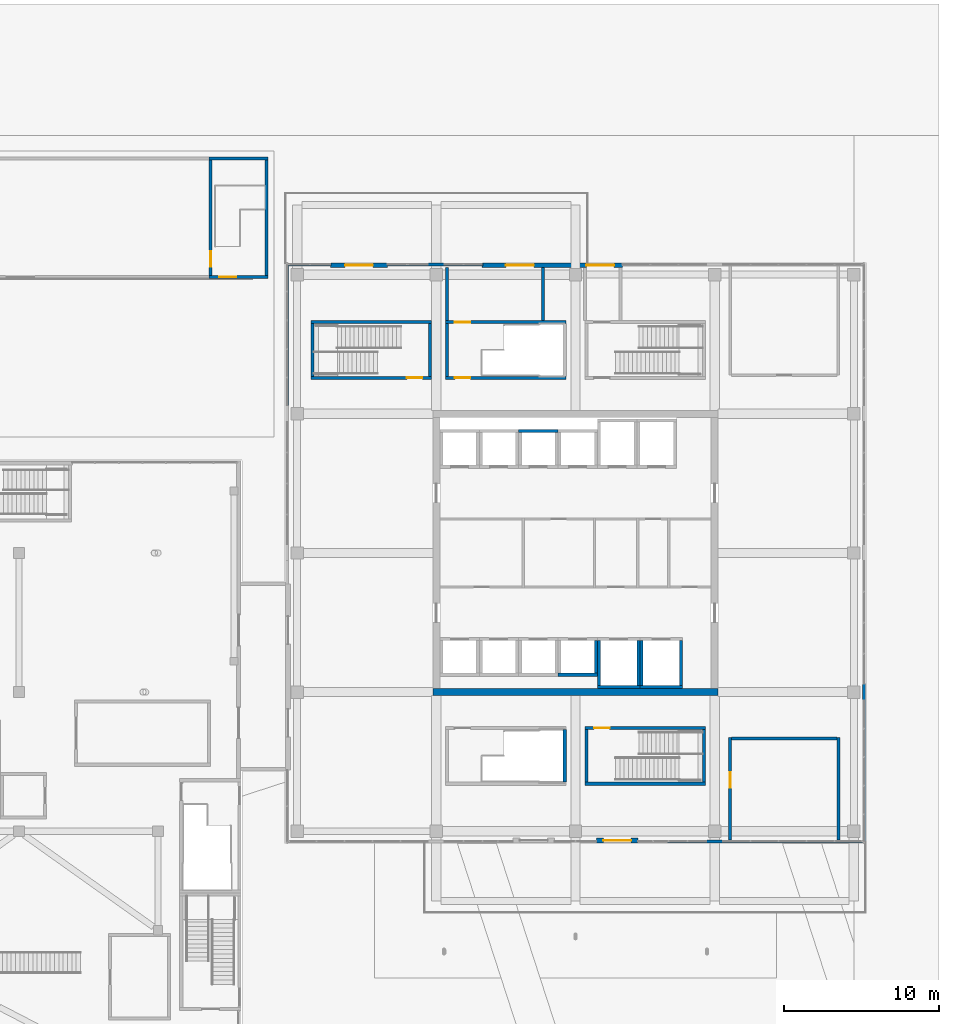
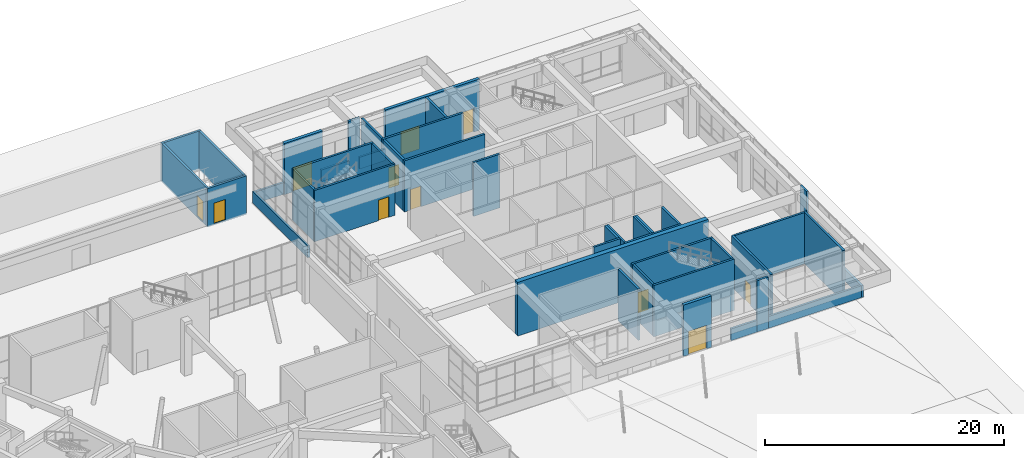
# One storey, part 57 of 72: 44 walls, 11 doors, 11 openings.
"""IFC4 building model written with IfcOpenShell, lengths in metres."""

from ifc_helpers import new_model, si_unit, direction, frame, frame_2d, origin, place, context, subcontext, project, spatial, rectangle, extrude, material, layer, layer_set, type_object, element, fill, save


model = new_model("IFC4")

# Units and contexts
model_context = context("Model", 3, precision=1e-05, world=origin(), true_north=direction((0.0, 1.0)))
body_context = subcontext(model_context, "Body", "Model", "MODEL_VIEW")
ifc_project = project(units=[si_unit("LENGTHUNIT", "METRE"), si_unit("AREAUNIT", "SQUARE_METRE"), si_unit("VOLUMEUNIT", "CUBIC_METRE"), si_unit("PLANEANGLEUNIT", "RADIAN"), si_unit("MASSUNIT", "GRAM", prefix="KILO")], contexts=[model_context])

# Site, building, storey
site_placement = place(None, origin())
site = spatial("IfcSite", under=ifc_project, at=site_placement, CompositionType="ELEMENT")
building_placement = place(site_placement, origin())
building = spatial("IfcBuilding", under=site, at=building_placement, Name="Tuart Plaza Theatre", CompositionType="ELEMENT")
storey_placement = place(building_placement, origin())
storey = spatial("IfcBuildingStorey", under=building, at=storey_placement, Name="L00", CompositionType="ELEMENT", Elevation=0.0)

# Wall, opening, door
ifc_material_1 = material(Name="Concrete N40 (40 MPa)", Category="concrete")
ifc_layer_1 = layer(ifc_material_1, 0.199951171875)
ifc_layer_set_1 = layer_set([ifc_layer_1], Name="PARTITION RC200 FRL 120/120/120")
wall_type_1 = type_object("IfcWallType", Name="PARTITION RC200 FRL 120/120/120", PredefinedType="PARTITIONING", material=ifc_layer_set_1)
wall_1_placement = place(storey_placement, frame((142.0, 55.449951171875, 0.0), z_axis=(0.0, 0.0, 1.0), x_axis=(0.0, 1.0, 0.0)))
wall_1 = element("IfcWall", 1, at=wall_1_placement, inside=storey, type_object=wall_type_1, Name="P576", PredefinedType="PARTITIONING", context=body_context, shape_type="SweptSolid", body=[
    extrude(rectangle(XDim=6.625, YDim=0.199951171875, at=frame_2d((3.3125, 0.0))), origin(), (0.0, 0.0, 1.0), 5.25),
])
opening_1_placement = place(wall_1_placement, frame((3.375, 0.0, 0.0)))
opening_1 = element("IfcOpeningElement", 2, at=opening_1_placement, cuts=wall_1, Name="Opening L00-092", PredefinedType="OPENING", context=body_context, shape_type="SweptSolid", body=[
    extrude(rectangle(XDim=1.0, YDim=2.10009765625, at=frame_2d((0.5, 1.050048828125))), frame((0.0, 0.10986328125, 0.0), z_axis=(0.0, -1.0, 0.0), x_axis=(1.0, 0.0, 0.0)), (0.0, 0.0, 1.0), 0.219970703125),
])
ifc_material_2 = material(Name="Steel Grade 300", Category="steel")
door_type_1 = type_object("IfcDoorType", Name="DOOR 1000x2100 steel single swing FRL -/120/30", OperationType="SINGLE_SWING_LEFT", PredefinedType="DOOR", material=ifc_material_2)
door_1_placement = place(opening_1_placement, frame((1.0, 0.0, 0.0), z_axis=(0.0, 0.0, 1.0), x_axis=(-1.0, 0.0, 0.0)))
door_1 = element("IfcDoor", 3, at=door_1_placement, inside=storey, type_object=door_type_1, Name="L00-092", OperationType="SINGLE_SWING_RIGHT", OverallHeight=2.10009765625, OverallWidth=1.0, PredefinedType="DOOR", context=body_context, shape_type="SweptSolid", body=[
    extrude(rectangle(XDim=1.0, YDim=2.10009765625, at=frame_2d((0.5, 1.050048828125))), frame((0.0, 0.02490234375, 0.0), z_axis=(0.0, -1.0, 0.0), x_axis=(1.0, 0.0, 0.0)), (0.0, 0.0, 1.0), 0.050048828125),
])
fill(opening_1, door_1)

# Walls
wall_2_placement = place(storey_placement, frame((142.10009765625, 62.0, 0.0), z_axis=(0.0, 0.0, 1.0), x_axis=(1.0, 0.0, 0.0)))
element("IfcWall", 4, at=wall_2_placement, inside=storey, type_object=wall_type_1, Name="P577", PredefinedType="PARTITIONING", context=body_context, shape_type="SweptSolid", body=[
    extrude(rectangle(XDim=6.7998046875, YDim=0.199951171875, at=frame_2d((3.39990234375, 0.0))), origin(), (0.0, 0.0, 1.0), 5.25),
])
wall_3_placement = place(storey_placement, frame((149.0, 55.449951171875, 0.0), z_axis=(0.0, 0.0, 1.0), x_axis=(0.0, 1.0, 0.0)))
element("IfcWall", 5, at=wall_3_placement, inside=storey, type_object=wall_type_1, Name="P578", PredefinedType="PARTITIONING", context=body_context, shape_type="SweptSolid", body=[
    extrude(rectangle(XDim=6.625, YDim=0.199951171875, at=frame_2d((3.3125, 0.0))), origin(), (0.0, 0.0, 1.0), 5.25),
])
ifc_material_3 = material(Name="Concrete N40 (40 MPa)", Category="concrete")
ifc_layer_2 = layer(ifc_material_3, 0.199951171875)
ifc_layer_set_2 = layer_set([ifc_layer_2], Name="SHEAR WALL RC200 FRL 120/120/120")
wall_type_2 = type_object("IfcWallType", Name="SHEAR WALL RC200 FRL 120/120/120", PredefinedType="SHEAR", material=ifc_layer_set_2)
wall_4_placement = place(storey_placement, frame((130.875, 66.125, 0.0), z_axis=(0.0, 0.0, 1.0), x_axis=(1.0, 0.0, 0.0)))
element("IfcWall", 6, at=wall_4_placement, inside=storey, type_object=wall_type_2, Name="W682", PredefinedType="SHEAR", context=body_context, shape_type="SweptSolid", body=[
    extrude(rectangle(XDim=2.550048828125, YDim=0.199951171875, at=frame_2d((1.27490234375, 0.0))), origin(), (0.0, 0.0, 1.0), 5.5),
])
wall_5_placement = place(storey_placement, frame((133.324951171875, 66.22509765625, 0.0), z_axis=(0.0, 0.0, 1.0), x_axis=(0.0, 1.0, 0.0)))
element("IfcWall", 7, at=wall_5_placement, inside=storey, type_object=wall_type_2, Name="W683", PredefinedType="SHEAR", context=body_context, shape_type="SweptSolid", body=[
    extrude(rectangle(XDim=2.099853515625, YDim=0.199951171875, at=frame_2d((1.0498046875, 0.0))), origin(), (0.0, 0.0, 1.0), 5.5),
])
wall_6_placement = place(storey_placement, frame((130.875, 81.875, 0.0), z_axis=(0.0, 0.0, 1.0), x_axis=(-1.0, 0.0, 0.0)))
element("IfcWall", 8, at=wall_6_placement, inside=storey, type_object=wall_type_2, Name="W872", PredefinedType="SHEAR", context=body_context, shape_type="SweptSolid", body=[
    extrude(rectangle(XDim=2.550048828125, YDim=0.199951171875, at=frame_2d((1.27490234375, 0.0))), origin(), (0.0, 0.0, 1.0), 5.5),
])
wall_7_placement = place(storey_placement, frame((133.425048828125, 65.324951171875, 0.0), z_axis=(0.0, 0.0, 1.0), x_axis=(1.0, 0.0, 0.0)))
element("IfcWall", 9, at=wall_7_placement, inside=storey, type_object=wall_type_2, Name="W1014", PredefinedType="SHEAR", context=body_context, shape_type="SweptSolid", body=[
    extrude(rectangle(XDim=2.75, YDim=0.199951171875, at=frame_2d((1.375, 0.0))), origin(), (0.0, 0.0, 1.0), 5.5),
])
for number, where, z_axis, x_axis, name in (
    (10, (136.074951171875, 65.425048828125, 0.0), (0.0, 0.0, 1.0), (0.0, 1.0, 0.0), "W1015"),
    (11, (133.52490234375, 68.324951171875, 0.0), (0.0, 0.0, 1.0), (0.0, -1.0, 0.0), "W1017"),
):
    element("IfcWall", number, at=place(storey_placement, frame(where, z_axis=z_axis, x_axis=x_axis)), inside=storey, type_object=wall_type_2, Name=name, PredefinedType="SHEAR", context=body_context, shape_type="SweptSolid", body=[
        extrude(rectangle(XDim=2.89990234375, YDim=0.199951171875, at=frame_2d((1.449951171875, 0.0))), origin(), (0.0, 0.0, 1.0), 5.5),
    ])
wall_8_placement = place(storey_placement, frame((136.175048828125, 65.324951171875, 0.0), z_axis=(0.0, 0.0, 1.0), x_axis=(1.0, 0.0, 0.0)))
element("IfcWall", 12, at=wall_8_placement, inside=storey, type_object=wall_type_2, Name="W1090", PredefinedType="SHEAR", context=body_context, shape_type="SweptSolid", body=[
    extrude(rectangle(XDim=2.75, YDim=0.199951171875, at=frame_2d((1.375, 0.0))), origin(), (0.0, 0.0, 1.0), 5.5),
])
for number, where, z_axis, x_axis, name in (
    (13, (138.824951171875, 65.425048828125, 0.0), (0.0, 0.0, 1.0), (0.0, 1.0, 0.0), "W1091"),
    (14, (136.27490234375, 68.324951171875, 0.0), (0.0, 0.0, 1.0), (0.0, -1.0, 0.0), "W1093"),
):
    element("IfcWall", number, at=place(storey_placement, frame(where, z_axis=z_axis, x_axis=x_axis)), inside=storey, type_object=wall_type_2, Name=name, PredefinedType="SHEAR", context=body_context, shape_type="SweptSolid", body=[
        extrude(rectangle(XDim=2.89990234375, YDim=0.199951171875, at=frame_2d((1.449951171875, 0.0))), origin(), (0.0, 0.0, 1.0), 5.5),
    ])
wall_9_placement = place(storey_placement, frame((132.60009765625, 59.074951171875, 0.0), z_axis=(0.0, 0.0, 1.0), x_axis=(1.0, 0.0, 0.0)))
element("IfcWall", 15, at=wall_9_placement, inside=storey, type_object=wall_type_2, Name="P392", PredefinedType="SHEAR", context=body_context, shape_type="SweptSolid", body=[
    extrude(rectangle(XDim=7.7998046875, YDim=0.199951171875, at=frame_2d((3.89990234375, 0.0))), origin(), (0.0, 0.0, 1.0), 5.25),
])
wall_10_placement = place(storey_placement, frame((140.300048828125, 59.175048828125, 0.0), z_axis=(0.0, 0.0, 1.0), x_axis=(0.0, 1.0, 0.0)))
element("IfcWall", 16, at=wall_10_placement, inside=storey, type_object=wall_type_2, Name="P393", PredefinedType="SHEAR", context=body_context, shape_type="SweptSolid", body=[
    extrude(rectangle(XDim=3.39990234375, YDim=0.199951171875, at=frame_2d((1.699951171875, 0.0))), origin(), (0.0, 0.0, 1.0), 5.25),
])

# Wall, opening, door
wall_11_placement = place(storey_placement, frame((140.39990234375, 62.675048828125, 0.0), z_axis=(0.0, 0.0, 1.0), x_axis=(-1.0, 0.0, 0.0)))
wall_11 = element("IfcWall", 17, at=wall_11_placement, inside=storey, type_object=wall_type_2, Name="P394", PredefinedType="SHEAR", context=body_context, shape_type="SweptSolid", body=[
    extrude(rectangle(XDim=7.7998046875, YDim=0.199951171875, at=frame_2d((3.89990234375, 0.0))), origin(), (0.0, 0.0, 1.0), 5.25),
])
opening_2_placement = place(wall_11_placement, frame((6.199951171875, 0.0, 0.0)))
opening_2 = element("IfcOpeningElement", 18, at=opening_2_placement, cuts=wall_11, Name="Opening L00-078", PredefinedType="OPENING", context=body_context, shape_type="SweptSolid", body=[
    extrude(rectangle(XDim=1.0, YDim=2.10009765625, at=frame_2d((0.5, 1.050048828125))), frame((0.0, 0.10986328125, 0.0), z_axis=(0.0, -1.0, 0.0), x_axis=(1.0, 0.0, 0.0)), (0.0, 0.0, 1.0), 0.219970703125),
])
door_2_placement = place(opening_2_placement, origin())
door_2 = element("IfcDoor", 19, at=door_2_placement, inside=storey, type_object=door_type_1, Name="L00-078", OperationType="SINGLE_SWING_LEFT", OverallHeight=2.10009765625, OverallWidth=1.0, PredefinedType="DOOR", context=body_context, shape_type="SweptSolid", body=[
    extrude(rectangle(XDim=1.0, YDim=2.10009765625, at=frame_2d((0.5, 1.050048828125))), frame((0.0, 0.02490234375, 0.0), z_axis=(0.0, -1.0, 0.0), x_axis=(1.0, 0.0, 0.0)), (0.0, 0.0, 1.0), 0.050048828125),
])
fill(opening_2, door_2)

# Wall
wall_12_placement = place(storey_placement, frame((132.699951171875, 62.574951171875, 0.0), z_axis=(0.0, 0.0, 1.0), x_axis=(0.0, -1.0, 0.0)))
element("IfcWall", 20, at=wall_12_placement, inside=storey, type_object=wall_type_2, Name="P395", PredefinedType="SHEAR", context=body_context, shape_type="SweptSolid", body=[
    extrude(rectangle(XDim=3.39990234375, YDim=0.199951171875, at=frame_2d((1.699951171875, 0.0))), origin(), (0.0, 0.0, 1.0), 5.25),
])

# Wall, opening, door
wall_13_placement = place(storey_placement, frame((114.89990234375, 85.324951171875, 0.0), z_axis=(0.0, 0.0, 1.0), x_axis=(1.0, 0.0, 0.0)))
wall_13 = element("IfcWall", 21, at=wall_13_placement, inside=storey, type_object=wall_type_2, Name="P448", PredefinedType="SHEAR", context=body_context, shape_type="SweptSolid", body=[
    extrude(rectangle(XDim=7.800048828125, YDim=0.199951171875, at=frame_2d((3.89990234375, 0.0))), origin(), (0.0, 0.0, 1.0), 5.25),
])
opening_3_placement = place(wall_13_placement, frame((6.199951171875, 0.0, 0.0)))
opening_3 = element("IfcOpeningElement", 22, at=opening_3_placement, cuts=wall_13, Name="Opening L00-080", PredefinedType="OPENING", context=body_context, shape_type="SweptSolid", body=[
    extrude(rectangle(XDim=1.0, YDim=2.10009765625, at=frame_2d((0.5, 1.050048828125))), frame((0.0, 0.10986328125, 0.0), z_axis=(0.0, -1.0, 0.0), x_axis=(1.0, 0.0, 0.0)), (0.0, 0.0, 1.0), 0.219970703125),
])
door_3_placement = place(opening_3_placement, origin())
door_3 = element("IfcDoor", 23, at=door_3_placement, inside=storey, type_object=door_type_1, Name="L00-080", OperationType="SINGLE_SWING_LEFT", OverallHeight=2.10009765625, OverallWidth=1.0, PredefinedType="DOOR", context=body_context, shape_type="SweptSolid", body=[
    extrude(rectangle(XDim=1.0, YDim=2.10009765625, at=frame_2d((0.5, 1.050048828125))), frame((0.0, 0.02490234375, 0.0), z_axis=(0.0, -1.0, 0.0), x_axis=(1.0, 0.0, 0.0)), (0.0, 0.0, 1.0), 0.050048828125),
])
fill(opening_3, door_3)

# Walls
wall_14_placement = place(storey_placement, frame((122.60009765625, 85.425048828125, 0.0), z_axis=(0.0, 0.0, 1.0), x_axis=(0.0, 1.0, 0.0)))
element("IfcWall", 24, at=wall_14_placement, inside=storey, type_object=wall_type_2, Name="P449", PredefinedType="SHEAR", context=body_context, shape_type="SweptSolid", body=[
    extrude(rectangle(XDim=3.39990234375, YDim=0.199951171875, at=frame_2d((1.699951171875, 0.0))), origin(), (0.0, 0.0, 1.0), 5.25),
])
wall_15_placement = place(storey_placement, frame((122.699951171875, 88.925048828125, 0.0), z_axis=(0.0, 0.0, 1.0), x_axis=(-1.0, 0.0, 0.0)))
element("IfcWall", 25, at=wall_15_placement, inside=storey, type_object=wall_type_2, Name="P450", PredefinedType="SHEAR", context=body_context, shape_type="SweptSolid", body=[
    extrude(rectangle(XDim=7.800048828125, YDim=0.199951171875, at=frame_2d((3.89990234375, 0.0))), origin(), (0.0, 0.0, 1.0), 5.25),
])
for number, where, z_axis, x_axis, name in (
    (26, (115.0, 88.824951171875, 0.0), (0.0, 0.0, 1.0), (0.0, -1.0, 0.0), "P451"),
    (27, (131.300048828125, 59.175048828125, 0.0), (0.0, 0.0, 1.0), (0.0, 1.0, 0.0), "P485"),
):
    element("IfcWall", number, at=place(storey_placement, frame(where, z_axis=z_axis, x_axis=x_axis)), inside=storey, type_object=wall_type_2, Name=name, PredefinedType="SHEAR", context=body_context, shape_type="SweptSolid", body=[
        extrude(rectangle(XDim=3.39990234375, YDim=0.199951171875, at=frame_2d((1.699951171875, 0.0))), origin(), (0.0, 0.0, 1.0), 5.25),
    ])

# Wall, opening, door
wall_16_placement = place(storey_placement, frame((123.60009765625, 85.324951171875, 0.0), z_axis=(0.0, 0.0, 1.0), x_axis=(1.0, 0.0, 0.0)))
wall_16 = element("IfcWall", 28, at=wall_16_placement, inside=storey, type_object=wall_type_2, Name="P496", PredefinedType="SHEAR", context=body_context, shape_type="SweptSolid", body=[
    extrude(rectangle(XDim=7.7998046875, YDim=0.199951171875, at=frame_2d((3.89990234375, 0.0))), origin(), (0.0, 0.0, 1.0), 5.25),
])
opening_4_placement = place(wall_16_placement, frame((0.60009765625, 0.0, 0.0)))
opening_4 = element("IfcOpeningElement", 29, at=opening_4_placement, cuts=wall_16, Name="Opening L00-082", PredefinedType="OPENING", context=body_context, shape_type="SweptSolid", body=[
    extrude(rectangle(XDim=1.0, YDim=2.10009765625, at=frame_2d((0.5, 1.050048828125))), frame((0.0, 0.10986328125, 0.0), z_axis=(0.0, -1.0, 0.0), x_axis=(1.0, 0.0, 0.0)), (0.0, 0.0, 1.0), 0.219970703125),
])
door_4_placement = place(opening_4_placement, origin())
door_4 = element("IfcDoor", 30, at=door_4_placement, inside=storey, type_object=door_type_1, Name="L00-082", OperationType="SINGLE_SWING_RIGHT", OverallHeight=2.10009765625, OverallWidth=1.0, PredefinedType="DOOR", context=body_context, shape_type="SweptSolid", body=[
    extrude(rectangle(XDim=1.0, YDim=2.10009765625, at=frame_2d((0.5, 1.050048828125))), frame((0.0, 0.02490234375, 0.0), z_axis=(0.0, -1.0, 0.0), x_axis=(1.0, 0.0, 0.0)), (0.0, 0.0, 1.0), 0.050048828125),
])
fill(opening_4, door_4)

wall_17_placement = place(storey_placement, frame((131.39990234375, 88.925048828125, 0.0), z_axis=(0.0, 0.0, 1.0), x_axis=(-1.0, 0.0, 0.0)))
wall_17 = element("IfcWall", 31, at=wall_17_placement, inside=storey, type_object=wall_type_2, Name="P498", PredefinedType="SHEAR", context=body_context, shape_type="SweptSolid", body=[
    extrude(rectangle(XDim=7.7998046875, YDim=0.199951171875, at=frame_2d((3.89990234375, 0.0))), origin(), (0.0, 0.0, 1.0), 5.25),
])
opening_5_placement = place(wall_17_placement, frame((6.199951171875, 0.0, 0.0)))
opening_5 = element("IfcOpeningElement", 32, at=opening_5_placement, cuts=wall_17, Name="Opening L00-100", PredefinedType="OPENING", context=body_context, shape_type="SweptSolid", body=[
    extrude(rectangle(XDim=1.0, YDim=2.10009765625, at=frame_2d((0.5, 1.050048828125))), frame((0.0, 0.10986328125, 0.0), z_axis=(0.0, -1.0, 0.0), x_axis=(1.0, 0.0, 0.0)), (0.0, 0.0, 1.0), 0.219970703125),
])
door_5_placement = place(opening_5_placement, frame((1.0, 0.0, 0.0), z_axis=(0.0, 0.0, 1.0), x_axis=(-1.0, 0.0, 0.0)))
door_5 = element("IfcDoor", 33, at=door_5_placement, inside=storey, type_object=door_type_1, Name="L00-100", OperationType="SINGLE_SWING_RIGHT", OverallHeight=2.10009765625, OverallWidth=1.0, PredefinedType="DOOR", context=body_context, shape_type="SweptSolid", body=[
    extrude(rectangle(XDim=1.0, YDim=2.10009765625, at=frame_2d((0.5, 1.050048828125))), frame((0.0, 0.02490234375, 0.0), z_axis=(0.0, -1.0, 0.0), x_axis=(1.0, 0.0, 0.0)), (0.0, 0.0, 1.0), 0.050048828125),
])
fill(opening_5, door_5)

# Walls
wall_18_placement = place(storey_placement, frame((123.699951171875, 88.824951171875, 0.0), z_axis=(0.0, 0.0, 1.0), x_axis=(0.0, -1.0, 0.0)))
element("IfcWall", 34, at=wall_18_placement, inside=storey, type_object=wall_type_2, Name="P499", PredefinedType="SHEAR", context=body_context, shape_type="SweptSolid", body=[
    extrude(rectangle(XDim=3.39990234375, YDim=0.199951171875, at=frame_2d((1.699951171875, 0.0))), origin(), (0.0, 0.0, 1.0), 5.25),
])
for number, where, z_axis, x_axis, name in (
    (35, (123.699951171875, 89.02490234375, 0.0), (0.0, 0.0, 1.0), (0.0, 1.0, 0.0), "W1552"),
    (36, (129.89990234375, 89.02490234375, 0.0), (0.0, 0.0, 1.0), (0.0, 1.0, 0.0), "W1553"),
):
    element("IfcWall", number, at=place(storey_placement, frame(where, z_axis=z_axis, x_axis=x_axis)), inside=storey, type_object=wall_type_2, Name=name, PredefinedType="SHEAR", context=body_context, shape_type="SweptSolid", body=[
        extrude(rectangle(XDim=3.425048828125, YDim=0.199951171875, at=frame_2d((1.71240234375, 0.0))), origin(), (0.0, 0.0, 1.0), 5.25),
    ])
ifc_material_4 = material(Name="Concrete N50 (50 MPa)", Category="concrete")
ifc_layer_3 = layer(ifc_material_4, 0.449951171875)
ifc_layer_set_3 = layer_set([ifc_layer_3], Name="SHEAR WALL RC450 N50 FRL 120/120/120")
wall_type_3 = type_object("IfcWallType", Name="SHEAR WALL RC450 N50 FRL 120/120/120", PredefinedType="SHEAR", material=ifc_layer_set_3)
wall_19_placement = place(storey_placement, frame((122.77490234375, 65.0, 0.0), z_axis=(0.0, 0.0, 1.0), x_axis=(1.0, 0.0, 0.0)))
element("IfcWall", 37, at=wall_19_placement, inside=storey, type_object=wall_type_3, Name="W355", PredefinedType="SHEAR", context=body_context, shape_type="SweptSolid", body=[
    extrude(rectangle(XDim=18.4501953125, YDim=0.449951171875, at=frame_2d((9.22509765625, 0.0))), origin(), (0.0, 0.0, 1.0), 5.5),
])
ifc_material_5 = material(Name="Steel panel", Category="steel")
ifc_layer_4 = layer(ifc_material_5, 0.199951171875)
ifc_layer_set_4 = layer_set([ifc_layer_4], Name="WALL CLD200 STEELPAN EXT base panel")
wall_type_4 = type_object("IfcWallType", Name="WALL CLD200 STEELPAN EXT base panel", PredefinedType="SOLIDWALL", material=ifc_layer_set_4)
wall_20_placement = place(storey_placement, frame((150.64990234375, 55.25, 0.0), z_axis=(0.0, 0.0, 1.0), x_axis=(0.0, 1.0, 0.0)))
element("IfcWall", 38, at=wall_20_placement, inside=storey, type_object=wall_type_4, Name="P93", PredefinedType="SOLIDWALL", context=body_context, shape_type="SweptSolid", body=[
    extrude(rectangle(XDim=9.25, YDim=0.199951171875, at=frame_2d((4.625, 0.0))), origin(), (0.0, 0.0, 1.0), 1.199951171875),
])
wall_21_placement = place(storey_placement, frame((150.64990234375, 64.449951171875, 0.0), z_axis=(0.0, 0.0, 1.0), x_axis=(0.0, 1.0, 0.0)))
element("IfcWall", 39, at=wall_21_placement, inside=storey, type_object=wall_type_4, Name="P94", PredefinedType="SOLIDWALL", context=body_context, shape_type="SweptSolid", body=[
    extrude(rectangle(XDim=1.10009765625, YDim=0.199951171875, at=frame_2d((0.550048828125, 0.0))), origin(), (0.0, 0.0, 1.0), 5.25),
])
wall_22_placement = place(storey_placement, frame((126.0, 92.64990234375, 0.0), z_axis=(0.0, 0.0, 1.0), x_axis=(-1.0, 0.0, 0.0)))
element("IfcWall", 40, at=wall_22_placement, inside=storey, type_object=wall_type_4, Name="P104", PredefinedType="SOLIDWALL", context=body_context, shape_type="SweptSolid", body=[
    extrude(rectangle(XDim=2.5, YDim=0.199951171875, at=frame_2d((1.25, 0.0))), origin(), (0.0, 0.0, 1.0), 1.199951171875),
])
wall_23_placement = place(storey_placement, frame((123.550048828125, 92.64990234375, 0.0), z_axis=(0.0, 0.0, 1.0), x_axis=(-1.0, 0.0, 0.0)))
element("IfcWall", 41, at=wall_23_placement, inside=storey, type_object=wall_type_4, Name="P105", PredefinedType="SOLIDWALL", context=body_context, shape_type="SweptSolid", body=[
    extrude(rectangle(XDim=1.10009765625, YDim=0.199951171875, at=frame_2d((0.550048828125, 0.0))), origin(), (0.0, 0.0, 1.0), 5.25),
])
wall_24_placement = place(storey_placement, frame((122.5, 92.64990234375, 0.0), z_axis=(0.0, 0.0, 1.0), x_axis=(-1.0, 0.0, 0.0)))
element("IfcWall", 42, at=wall_24_placement, inside=storey, type_object=wall_type_4, Name="P106", PredefinedType="SOLIDWALL", context=body_context, shape_type="SweptSolid", body=[
    extrude(rectangle(XDim=2.699951171875, YDim=0.199951171875, at=frame_2d((1.35009765625, 0.0))), origin(), (0.0, 0.0, 1.0), 1.199951171875),
])
wall_25_placement = place(storey_placement, frame((116.199951171875, 92.64990234375, 0.0), z_axis=(0.0, 0.0, 1.0), x_axis=(-1.0, 0.0, 0.0)))
element("IfcWall", 43, at=wall_25_placement, inside=storey, type_object=wall_type_4, Name="P108", PredefinedType="SOLIDWALL", context=body_context, shape_type="SweptSolid", body=[
    extrude(rectangle(XDim=2.75, YDim=0.199951171875, at=frame_2d((1.375, 0.0))), origin(), (0.0, 0.0, 1.0), 1.199951171875),
])
wall_26_placement = place(storey_placement, frame((113.35009765625, 92.75, 0.0), z_axis=(0.0, 0.0, 1.0), x_axis=(0.0, -1.0, 0.0)))
element("IfcWall", 44, at=wall_26_placement, inside=storey, type_object=wall_type_4, Name="P109", PredefinedType="SOLIDWALL", context=body_context, shape_type="SweptSolid", body=[
    extrude(rectangle(XDim=9.25, YDim=0.199951171875, at=frame_2d((4.625, 0.0))), origin(), (0.0, 0.0, 1.0), 1.199951171875),
])
wall_27_placement = place(storey_placement, frame((137.949951171875, 55.35009765625, 0.0), z_axis=(0.0, 0.0, 1.0), x_axis=(1.0, 0.0, 0.0)))
element("IfcWall", 45, at=wall_27_placement, inside=storey, type_object=wall_type_4, Name="P121", PredefinedType="SOLIDWALL", context=body_context, shape_type="SweptSolid", body=[
    extrude(rectangle(XDim=2.550048828125, YDim=0.199951171875, at=frame_2d((1.27490234375, 0.0))), origin(), (0.0, 0.0, 1.0), 1.199951171875),
])
wall_28_placement = place(storey_placement, frame((140.449951171875, 55.35009765625, 0.0), z_axis=(0.0, 0.0, 1.0), x_axis=(1.0, 0.0, 0.0)))
element("IfcWall", 46, at=wall_28_placement, inside=storey, type_object=wall_type_4, Name="P122", PredefinedType="SOLIDWALL", context=body_context, shape_type="SweptSolid", body=[
    extrude(rectangle(XDim=1.10009765625, YDim=0.199951171875, at=frame_2d((0.550048828125, 0.0))), origin(), (0.0, 0.0, 1.0), 5.25),
])
wall_29_placement = place(storey_placement, frame((141.5, 55.35009765625, 0.0), z_axis=(0.0, 0.0, 1.0), x_axis=(1.0, 0.0, 0.0)))
element("IfcWall", 47, at=wall_29_placement, inside=storey, type_object=wall_type_4, Name="P123", PredefinedType="SOLIDWALL", context=body_context, shape_type="SweptSolid", body=[
    extrude(rectangle(XDim=9.050048828125, YDim=0.199951171875, at=frame_2d((4.52490234375, 0.0))), origin(), (0.0, 0.0, 1.0), 1.199951171875),
])

# Wall, openings, doors
ifc_material_6 = material(Name="Steel panel", Category="steel")
ifc_layer_5 = layer(ifc_material_6, 0.300048828125)
ifc_layer_set_5 = layer_set([ifc_layer_5], Name="WALL CLD300 STEELPAN EXT entrance frame")
wall_type_5 = type_object("IfcWallType", Name="WALL CLD300 STEELPAN EXT entrance frame", PredefinedType="SOLIDWALL", material=ifc_layer_set_5)
wall_30_placement = place(storey_placement, frame((135.050048828125, 92.60009765625, 0.0), z_axis=(0.0, 0.0, 1.0), x_axis=(-1.0, 0.0, 0.0)))
wall_30 = element("IfcWall", 48, at=wall_30_placement, inside=storey, type_object=wall_type_5, Name="P103", PredefinedType="SOLIDWALL", context=body_context, shape_type="SweptSolid", body=[
    extrude(rectangle(XDim=9.10009765625, YDim=0.300048828125, at=frame_2d((4.550048828125, 0.0))), origin(), (0.0, 0.0, 1.0), 5.25),
])
opening_6_placement = place(wall_30_placement, frame((5.75, 0.0, 0.0)))
opening_6 = element("IfcOpeningElement", 49, at=opening_6_placement, cuts=wall_30, Name="Opening L00-010", PredefinedType="OPENING", context=body_context, shape_type="SweptSolid", body=[
    extrude(rectangle(XDim=1.800048828125, YDim=2.39990234375, at=frame_2d((0.89990234375, 1.199951171875))), frame((0.0, 0.159912109375, 0.0), z_axis=(0.0, -1.0, 0.0), x_axis=(1.0, 0.0, 0.0)), (0.0, 0.0, 1.0), 0.320068359375),
])
opening_7_placement = place(wall_30_placement, frame((0.550048828125, 0.0, 0.0)))
opening_7 = element("IfcOpeningElement", 50, at=opening_7_placement, cuts=wall_30, Name="Opening L00-011", PredefinedType="OPENING", context=body_context, shape_type="SweptSolid", body=[
    extrude(rectangle(XDim=1.800048828125, YDim=2.39990234375, at=frame_2d((0.89990234375, 1.199951171875))), frame((0.0, 0.159912109375, 0.0), z_axis=(0.0, -1.0, 0.0), x_axis=(1.0, 0.0, 0.0)), (0.0, 0.0, 1.0), 0.320068359375),
])
ifc_material_7 = material(Name="Aluminium", Category="aluminium")
door_type_2 = type_object("IfcDoorType", Name="DOOR 1800x2400 aluminium double swing glazed", OperationType="DOUBLE_DOOR_SINGLE_SWING", PredefinedType="DOOR", material=ifc_material_7)
door_6_placement = place(opening_6_placement, frame((1.800048828125, 0.0, 0.0), z_axis=(0.0, 0.0, 1.0), x_axis=(-1.0, 0.0, 0.0)))
door_6 = element("IfcDoor", 51, at=door_6_placement, inside=storey, type_object=door_type_2, Name="L00-010", OperationType="DOUBLE_DOOR_SINGLE_SWING", OverallHeight=2.39990234375, OverallWidth=1.800048828125, PredefinedType="DOOR", context=body_context, shape_type="SweptSolid", body=[
    extrude(rectangle(XDim=1.800048828125, YDim=2.39990234375, at=frame_2d((0.89990234375, 1.199951171875))), frame((0.0, 0.02490234375, 0.0), z_axis=(0.0, -1.0, 0.0), x_axis=(1.0, 0.0, 0.0)), (0.0, 0.0, 1.0), 0.050048828125),
])
fill(opening_6, door_6)
door_7_placement = place(opening_7_placement, frame((1.800048828125, 0.0, 0.0), z_axis=(0.0, 0.0, 1.0), x_axis=(-1.0, 0.0, 0.0)))
door_7 = element("IfcDoor", 52, at=door_7_placement, inside=storey, type_object=door_type_2, Name="L00-011", OperationType="DOUBLE_DOOR_SINGLE_SWING", OverallHeight=2.39990234375, OverallWidth=1.800048828125, PredefinedType="DOOR", context=body_context, shape_type="SweptSolid", body=[
    extrude(rectangle(XDim=1.800048828125, YDim=2.39990234375, at=frame_2d((0.89990234375, 1.199951171875))), frame((0.0, 0.02490234375, 0.0), z_axis=(0.0, -1.0, 0.0), x_axis=(1.0, 0.0, 0.0)), (0.0, 0.0, 1.0), 0.050048828125),
])
fill(opening_7, door_7)

# Wall, opening, door
wall_31_placement = place(storey_placement, frame((119.85009765625, 92.60009765625, 0.0), z_axis=(0.0, 0.0, 1.0), x_axis=(-1.0, 0.0, 0.0)))
wall_31 = element("IfcWall", 53, at=wall_31_placement, inside=storey, type_object=wall_type_5, Name="P107", PredefinedType="SOLIDWALL", context=body_context, shape_type="SweptSolid", body=[
    extrude(rectangle(XDim=3.7001953125, YDim=0.300048828125, at=frame_2d((1.85009765625, 0.0))), origin(), (0.0, 0.0, 1.0), 5.25),
])
opening_8_placement = place(wall_31_placement, frame((0.949951171875, 0.0, 0.0)))
opening_8 = element("IfcOpeningElement", 54, at=opening_8_placement, cuts=wall_31, Name="Opening L00-012", PredefinedType="OPENING", context=body_context, shape_type="SweptSolid", body=[
    extrude(rectangle(XDim=1.800048828125, YDim=2.39990234375, at=frame_2d((0.89990234375, 1.199951171875))), frame((0.0, 0.159912109375, 0.0), z_axis=(0.0, -1.0, 0.0), x_axis=(1.0, 0.0, 0.0)), (0.0, 0.0, 1.0), 0.320068359375),
])
door_8_placement = place(opening_8_placement, frame((1.800048828125, 0.0, 0.0), z_axis=(0.0, 0.0, 1.0), x_axis=(-1.0, 0.0, 0.0)))
door_8 = element("IfcDoor", 55, at=door_8_placement, inside=storey, type_object=door_type_2, Name="L00-012", OperationType="DOUBLE_DOOR_SINGLE_SWING", OverallHeight=2.39990234375, OverallWidth=1.800048828125, PredefinedType="DOOR", context=body_context, shape_type="SweptSolid", body=[
    extrude(rectangle(XDim=1.800048828125, YDim=2.39990234375, at=frame_2d((0.89990234375, 1.199951171875))), frame((0.0, 0.02490234375, 0.0), z_axis=(0.0, -1.0, 0.0), x_axis=(1.0, 0.0, 0.0)), (0.0, 0.0, 1.0), 0.050048828125),
])
fill(opening_8, door_8)

wall_32_placement = place(storey_placement, frame((133.35009765625, 55.39990234375, 0.0), z_axis=(0.0, 0.0, 1.0), x_axis=(1.0, 0.0, 0.0)))
wall_32 = element("IfcWall", 56, at=wall_32_placement, inside=storey, type_object=wall_type_5, Name="P120", PredefinedType="SOLIDWALL", context=body_context, shape_type="SweptSolid", body=[
    extrude(rectangle(XDim=2.699951171875, YDim=0.300048828125, at=frame_2d((1.35009765625, 0.0))), origin(), (0.0, 0.0, 1.0), 5.25),
])
opening_9_placement = place(wall_32_placement, frame((0.449951171875, 0.0, 0.0)))
opening_9 = element("IfcOpeningElement", 57, at=opening_9_placement, cuts=wall_32, Name="Opening L00-016", PredefinedType="OPENING", context=body_context, shape_type="SweptSolid", body=[
    extrude(rectangle(XDim=1.800048828125, YDim=2.39990234375, at=frame_2d((0.89990234375, 1.199951171875))), frame((0.0, 0.159912109375, 0.0), z_axis=(0.0, -1.0, 0.0), x_axis=(1.0, 0.0, 0.0)), (0.0, 0.0, 1.0), 0.320068359375),
])
door_9_placement = place(opening_9_placement, frame((1.800048828125, 0.0, 0.0), z_axis=(0.0, 0.0, 1.0), x_axis=(-1.0, 0.0, 0.0)))
door_9 = element("IfcDoor", 58, at=door_9_placement, inside=storey, type_object=door_type_2, Name="L00-016", OperationType="DOUBLE_DOOR_SINGLE_SWING", OverallHeight=2.39990234375, OverallWidth=1.800048828125, PredefinedType="DOOR", context=body_context, shape_type="SweptSolid", body=[
    extrude(rectangle(XDim=1.800048828125, YDim=2.39990234375, at=frame_2d((0.89990234375, 1.199951171875))), frame((0.0, 0.02490234375, 0.0), z_axis=(0.0, -1.0, 0.0), x_axis=(1.0, 0.0, 0.0)), (0.0, 0.0, 1.0), 0.050048828125),
])
fill(opening_9, door_9)

ifc_material_8 = material(Name="Concrete N40 (40 MPa)", Category="concrete")
ifc_layer_6 = layer(ifc_material_8, 0.199951171875)
ifc_layer_set_6 = layer_set([ifc_layer_6], Name="WALL RC200 FRL 120/120/120")
wall_type_6 = type_object("IfcWallType", Name="WALL RC200 FRL 120/120/120", PredefinedType="SOLIDWALL", material=ifc_layer_set_6)
wall_33_placement = place(storey_placement, frame((108.39990234375, 91.949951171875, -0.14990234375), z_axis=(0.0, 0.0, 1.0), x_axis=(0.0, 1.0, 0.0)))
wall_33 = element("IfcWall", 59, at=wall_33_placement, inside=storey, type_object=wall_type_6, Name="P766", PredefinedType="SOLIDWALL", context=body_context, shape_type="SweptSolid", body=[
    extrude(rectangle(XDim=7.449951171875, YDim=0.199951171875, at=frame_2d((3.72509765625, 0.0))), origin(), (0.0, 0.0, 1.0), 3.949951171875),
])
opening_10_placement = place(wall_33_placement, frame((0.550048828125, 0.0, 0.14990234375)))
opening_10 = element("IfcOpeningElement", 60, at=opening_10_placement, cuts=wall_33, Name="Opening L00-098", PredefinedType="OPENING", context=body_context, shape_type="SweptSolid", body=[
    extrude(rectangle(XDim=1.0, YDim=2.10009765625, at=frame_2d((0.5, 1.050048828125))), frame((0.0, 0.10986328125, 0.0), z_axis=(0.0, -1.0, 0.0), x_axis=(1.0, 0.0, 0.0)), (0.0, 0.0, 1.0), 0.219970703125),
])
ifc_material_9 = material(Name="Timber", Category="wood")
door_type_3 = type_object("IfcDoorType", Name="DOOR 1000x2100 timber single swing FRL -/120/30", OperationType="SINGLE_SWING_LEFT", PredefinedType="DOOR", material=ifc_material_9)
door_10_placement = place(opening_10_placement, origin())
door_10 = element("IfcDoor", 61, at=door_10_placement, inside=storey, type_object=door_type_3, Name="L00-098", OperationType="SINGLE_SWING_RIGHT", OverallHeight=2.10009765625, OverallWidth=1.0, PredefinedType="DOOR", context=body_context, shape_type="SweptSolid", body=[
    extrude(rectangle(XDim=1.0, YDim=2.10009765625, at=frame_2d((0.5, 1.050048828125))), frame((0.0, 0.02490234375, 0.0), z_axis=(0.0, -1.0, 0.0), x_axis=(1.0, 0.0, 0.0)), (0.0, 0.0, 1.0), 0.050048828125),
])
fill(opening_10, door_10)

ifc_material_10 = material(Name="Concrete N40 (40 MPa)", Category="concrete")
ifc_layer_7 = layer(ifc_material_10, 0.199951171875)
ifc_layer_set_7 = layer_set([ifc_layer_7], Name="WALL RC200 FRL 120/120/120 EXT")
wall_type_7 = type_object("IfcWallType", Name="WALL RC200 FRL 120/120/120 EXT", PredefinedType="SOLIDWALL", material=ifc_layer_set_7)
wall_34_placement = place(storey_placement, frame((108.300048828125, 91.85009765625, -0.14990234375), z_axis=(0.0, 0.0, 1.0), x_axis=(1.0, 0.0, 0.0)))
wall_34 = element("IfcWall", 62, at=wall_34_placement, inside=storey, type_object=wall_type_7, Name="P759", PredefinedType="SOLIDWALL", context=body_context, shape_type="SweptSolid", body=[
    extrude(rectangle(XDim=3.800048828125, YDim=0.199951171875, at=frame_2d((1.89990234375, 0.0))), origin(), (0.0, 0.0, 1.0), 3.949951171875),
])
opening_11_placement = place(wall_34_placement, frame((0.64990234375, 0.0, 0.14990234375)))
opening_11 = element("IfcOpeningElement", 63, at=opening_11_placement, cuts=wall_34, Name="Opening L00-095", PredefinedType="OPENING", context=body_context, shape_type="SweptSolid", body=[
    extrude(rectangle(XDim=1.10009765625, YDim=2.10009765625, at=frame_2d((0.550048828125, 1.050048828125))), frame((0.0, 0.10986328125, 0.0), z_axis=(0.0, -1.0, 0.0), x_axis=(1.0, 0.0, 0.0)), (0.0, 0.0, 1.0), 0.219970703125),
])
ifc_material_11 = material(Name="Timber", Category="wood")
door_type_4 = type_object("IfcDoorType", Name="DOOR 1100x2100 timber single swing FRL -/120/30", OperationType="SINGLE_SWING_LEFT", PredefinedType="DOOR", material=ifc_material_11)
door_11_placement = place(opening_11_placement, frame((1.10009765625, 0.0, 0.0), z_axis=(0.0, 0.0, 1.0), x_axis=(-1.0, 0.0, 0.0)))
door_11 = element("IfcDoor", 64, at=door_11_placement, inside=storey, type_object=door_type_4, Name="L00-095", OperationType="SINGLE_SWING_LEFT", OverallHeight=2.10009765625, OverallWidth=1.10009765625, PredefinedType="DOOR", context=body_context, shape_type="SweptSolid", body=[
    extrude(rectangle(XDim=1.10009765625, YDim=2.10009765625, at=frame_2d((0.550048828125, 1.050048828125))), frame((0.0, 0.02490234375, 0.0), z_axis=(0.0, -1.0, 0.0), x_axis=(1.0, 0.0, 0.0)), (0.0, 0.0, 1.0), 0.050048828125),
])
fill(opening_11, door_11)

# Walls
wall_35_placement = place(storey_placement, frame((108.300048828125, 99.5, -0.14990234375), z_axis=(0.0, 0.0, 1.0), x_axis=(1.0, 0.0, 0.0)))
element("IfcWall", 65, at=wall_35_placement, inside=storey, type_object=wall_type_7, Name="P762", PredefinedType="SOLIDWALL", context=body_context, shape_type="SweptSolid", body=[
    extrude(rectangle(XDim=3.800048828125, YDim=0.199951171875, at=frame_2d((1.89990234375, 0.0))), origin(), (0.0, 0.0, 1.0), 3.949951171875),
])
wall_36_placement = place(storey_placement, frame((112.0, 91.949951171875, -0.14990234375), z_axis=(0.0, 0.0, 1.0), x_axis=(0.0, 1.0, 0.0)))
element("IfcWall", 66, at=wall_36_placement, inside=storey, type_object=wall_type_7, Name="P764", PredefinedType="SOLIDWALL", context=body_context, shape_type="SweptSolid", body=[
    extrude(rectangle(XDim=7.449951171875, YDim=0.199951171875, at=frame_2d((3.72509765625, 0.0))), origin(), (0.0, 0.0, 1.0), 3.949951171875),
])

save(model, "model.ifc")
